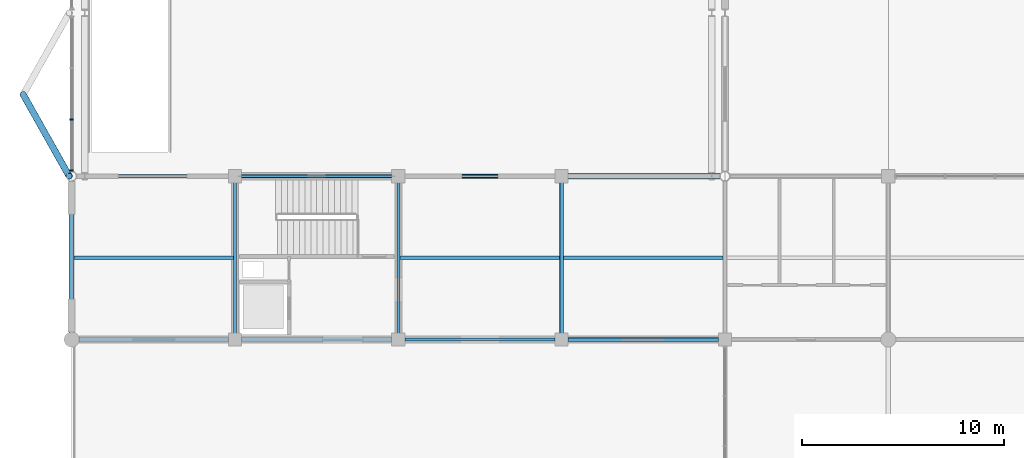
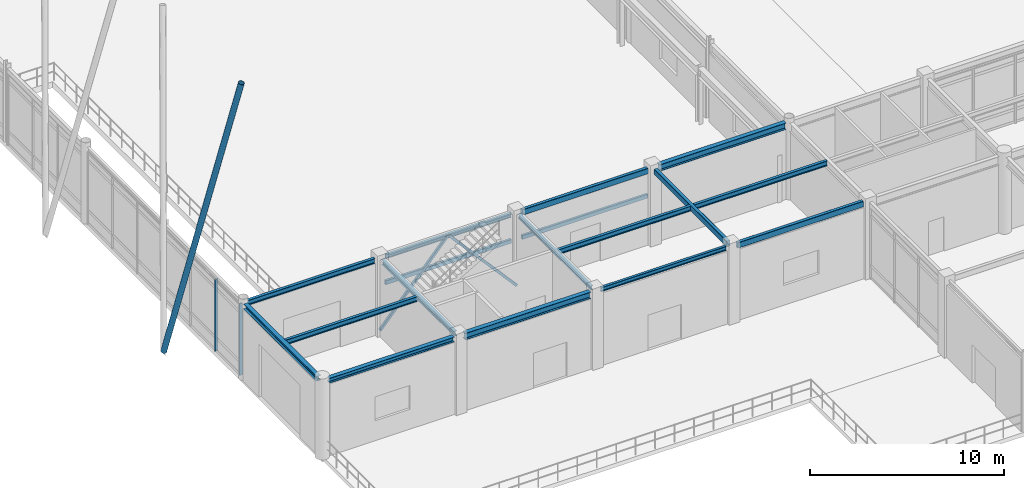
# One storey, part 23 of 99: 17 beams, 5 members, 1 element without a shape of its own.
"""IFC4 building model written with IfcOpenShell, lengths in metres."""

from ifc_helpers import new_model, si_unit, direction, frame, origin, origin_2d, place, context, subcontext, project, spatial, rectangle, hollow_rectangle, hollow_circle, i_section, extrude, material, layer, layer_set, material_profile, profile_set, type_object, element, aggregate, save


model = new_model("IFC4")

# Units and contexts
model_context = context("Model", 3, precision=1e-05, world=origin(), true_north=direction((0.0, 1.0)))
body_context = subcontext(model_context, "Body", "Model", "MODEL_VIEW")
ifc_project = project(units=[si_unit("LENGTHUNIT", "METRE"), si_unit("AREAUNIT", "SQUARE_METRE"), si_unit("VOLUMEUNIT", "CUBIC_METRE"), si_unit("PLANEANGLEUNIT", "RADIAN"), si_unit("MASSUNIT", "GRAM", prefix="KILO")], contexts=[model_context])

# Site, building, storey
site_placement = place(None, origin())
site = spatial("IfcSite", under=ifc_project, at=site_placement, CompositionType="ELEMENT")
building_placement = place(site_placement, origin())
building = spatial("IfcBuilding", under=site, at=building_placement, Name="Vaudrelin Polytechnic", CompositionType="ELEMENT")
storey_placement = place(building_placement, origin())
storey = spatial("IfcBuildingStorey", under=building, at=storey_placement, Name="L00", CompositionType="ELEMENT", Elevation=0.0)

# Beams
ifc_material_1 = material(Name="Steel CSA G40.21 350WT", Category="steel")
ifc_material_profile_1 = material_profile(ifc_material_1, i_section(OverallWidth=0.260009765625, OverallDepth=0.4150390625, WebThickness=0.010009765625, FlangeThickness=0.016845703125, FilletRadius=0.01611328125, at=origin_2d()), Name="W410x100")
ifc_profile_set_1 = profile_set([ifc_material_profile_1], Name="Steel CSA G40.21 350WT")
beam_type_1 = type_object("IfcBeamType", Name="BM-BM-W410H", PredefinedType="SPANDREL", material=ifc_profile_set_1)
beam_1_placement = place(storey_placement, frame((8.4208984375, 40.5, 4.612548828125), z_axis=(1.0, 0.0, 0.0), x_axis=(0.0, 1.0, 0.0)))
element("IfcBeam", 1, at=beam_1_placement, inside=storey, type_object=beam_type_1, Name="L00 X-beam 2-6", PredefinedType="SPANDREL", context=body_context, shape_type="SweptSolid", body=[
    extrude(i_section(OverallWidth=0.260009765625, OverallDepth=0.4150390625, WebThickness=0.010009765625, FlangeThickness=0.016845703125, FilletRadius=0.01611328125, at=origin_2d()), origin(), (0.0, 0.0, 1.0), 7.4580078125),
])
beam_2_placement = place(storey_placement, frame((24.62109375, 48.60009765625, 4.612548828125), z_axis=(1.0, 0.0, 0.0), x_axis=(0.0, 1.0, 0.0)))
element("IfcBeam", 2, at=beam_2_placement, inside=storey, type_object=beam_type_1, Name="L00 X-beam 4-7", PredefinedType="SPANDREL", context=body_context, shape_type="SweptSolid", body=[
    extrude(i_section(OverallWidth=0.260009765625, OverallDepth=0.4150390625, WebThickness=0.010009765625, FlangeThickness=0.016845703125, FilletRadius=0.01611328125, at=origin_2d()), origin(), (0.0, 0.0, 1.0), 7.52880859375),
])
ifc_material_2 = material(Name="Steel CSA G40.21 350W", Category="steel")
ifc_material_profile_2 = material_profile(ifc_material_2, i_section(OverallWidth=0.14794921875, OverallDepth=0.26611328125, WebThickness=0.007568359375, FlangeThickness=0.012939453125, FilletRadius=0.012939453125, at=origin_2d()), Name="W250x45")
ifc_profile_set_2 = profile_set([ifc_material_profile_2], Name="Steel CSA G40.21 350W")
beam_type_2 = type_object("IfcBeamType", Name="BM-JS-W250", PredefinedType="JOIST", material=ifc_profile_set_2)
beam_3_placement = place(storey_placement, frame((16.199951171875, 40.81005859375, 4.68701171875), z_axis=(0.0, 1.0, 0.0), x_axis=(-1.0, 0.0, 0.0)))
element("IfcBeam", 3, at=beam_3_placement, inside=storey, type_object=beam_type_2, Name="L00 Y-beam 3-6", PredefinedType="JOIST", context=body_context, shape_type="SweptSolid", body=[
    extrude(i_section(OverallWidth=0.14794921875, OverallDepth=0.26611328125, WebThickness=0.007568359375, FlangeThickness=0.012939453125, FilletRadius=0.012939453125, at=origin_2d()), origin(), (0.0, 0.0, 1.0), 7.47998046875),
])
for number, where, z_axis, x_axis, name in (
    (4, (8.4208984375, 48.60009765625, 4.68701171875), (1.0, 0.0, 0.0), (0.0, 1.0, 0.0), "L00 X-beam 2-7"),
    (5, (16.52099609375, 40.5, 4.68701171875), (1.0, 0.0, 0.0), (0.0, 1.0, 0.0), "L00 X-beam 3-6"),
):
    element("IfcBeam", number, at=place(storey_placement, frame(where, z_axis=z_axis, x_axis=x_axis)), inside=storey, type_object=beam_type_2, Name=name, PredefinedType="JOIST", context=body_context, shape_type="SweptSolid", body=[
        extrude(i_section(OverallWidth=0.14794921875, OverallDepth=0.26611328125, WebThickness=0.007568359375, FlangeThickness=0.012939453125, FilletRadius=0.012939453125, at=origin_2d()), origin(), (0.0, 0.0, 1.0), 7.4580078125),
    ])
ifc_material_profile_3 = material_profile(ifc_material_2, i_section(OverallWidth=0.1669921875, OverallDepth=0.31689453125, WebThickness=0.007568359375, FlangeThickness=0.01318359375, FilletRadius=0.013916015625, at=origin_2d()), Name="W310x52")
ifc_profile_set_3 = profile_set([ifc_material_profile_3], Name="Steel CSA G40.21 350W")
beam_type_3 = type_object("IfcBeamType", Name="BM-JS-W310", PredefinedType="JOIST", material=ifc_profile_set_3)
beam_4_placement = place(storey_placement, frame((8.10009765625, 40.81005859375, 4.66162109375), z_axis=(0.0, 1.0, 0.0), x_axis=(-1.0, 0.0, 0.0)))
element("IfcBeam", 6, at=beam_4_placement, inside=storey, type_object=beam_type_3, Name="L00 Y-beam 2-6", PredefinedType="JOIST", context=body_context, shape_type="SweptSolid", body=[
    extrude(i_section(OverallWidth=0.1669921875, OverallDepth=0.31689453125, WebThickness=0.007568359375, FlangeThickness=0.01318359375, FilletRadius=0.013916015625, at=origin_2d()), origin(), (0.0, 0.0, 1.0), 7.47998046875),
])
beam_5_placement = place(storey_placement, frame((0.123046875, 44.550048828125, 4.66162109375), z_axis=(1.0, 0.0, 0.0), x_axis=(0.0, 1.0, 0.0)))
element("IfcBeam", 7, at=beam_5_placement, inside=storey, type_object=beam_type_3, Name="L00 floor joist 1-6", PredefinedType="JOIST", context=body_context, shape_type="SweptSolid", body=[
    extrude(i_section(OverallWidth=0.1669921875, OverallDepth=0.31689453125, WebThickness=0.007568359375, FlangeThickness=0.01318359375, FilletRadius=0.013916015625, at=origin_2d()), origin(), (0.0, 0.0, 1.0), 7.8974609375),
])
beam_6_placement = place(storey_placement, frame((0.25, 48.60009765625, 4.66162109375), z_axis=(1.0, 0.0, 0.0), x_axis=(0.0, 1.0, 0.0)))
element("IfcBeam", 8, at=beam_6_placement, inside=storey, type_object=beam_type_3, Name="L00 X-beam 1-7", PredefinedType="JOIST", context=body_context, shape_type="SweptSolid", body=[
    extrude(i_section(OverallWidth=0.1669921875, OverallDepth=0.31689453125, WebThickness=0.007568359375, FlangeThickness=0.01318359375, FilletRadius=0.013916015625, at=origin_2d()), origin(), (0.0, 0.0, 1.0), 7.529052734375),
])
beam_7_placement = place(storey_placement, frame((16.27001953125, 44.550048828125, 4.66162109375), z_axis=(1.0, 0.0, 0.0), x_axis=(0.0, 1.0, 0.0)))
element("IfcBeam", 9, at=beam_7_placement, inside=storey, type_object=beam_type_3, Name="L00 floor joist 3-6", PredefinedType="JOIST", context=body_context, shape_type="SweptSolid", body=[
    extrude(i_section(OverallWidth=0.1669921875, OverallDepth=0.31689453125, WebThickness=0.007568359375, FlangeThickness=0.01318359375, FilletRadius=0.013916015625, at=origin_2d()), origin(), (0.0, 0.0, 1.0), 7.932373046875),
])
beam_8_placement = place(storey_placement, frame((24.3974609375, 44.550048828125, 4.66162109375), z_axis=(1.0, 0.0, 0.0), x_axis=(0.0, 1.0, 0.0)))
element("IfcBeam", 10, at=beam_8_placement, inside=storey, type_object=beam_type_3, Name="L00 floor joist 4-6", PredefinedType="JOIST", context=body_context, shape_type="SweptSolid", body=[
    extrude(i_section(OverallWidth=0.1669921875, OverallDepth=0.31689453125, WebThickness=0.007568359375, FlangeThickness=0.01318359375, FilletRadius=0.013916015625, at=origin_2d()), origin(), (0.0, 0.0, 1.0), 7.899658203125),
])
ifc_material_profile_4 = material_profile(ifc_material_1, i_section(OverallWidth=0.25390625, OverallDepth=0.305908203125, WebThickness=0.0087890625, FlangeThickness=0.0146484375, FilletRadius=0.01611328125, at=origin_2d()), Name="W310x79")
ifc_profile_set_4 = profile_set([ifc_material_profile_4], Name="Steel CSA G40.21 350WT")
beam_type_4 = type_object("IfcBeamType", Name="BM-JS-W310H", PredefinedType="SPANDREL", material=ifc_profile_set_4)
beam_9_placement = place(storey_placement, frame((0.0, 40.860107421875, 4.6669921875), z_axis=(0.0, 1.0, 0.0), x_axis=(-1.0, 0.0, 0.0)))
element("IfcBeam", 11, at=beam_9_placement, inside=storey, type_object=beam_type_4, Name="L00 Y-beam 1-6", PredefinedType="SPANDREL", context=body_context, shape_type="SweptSolid", body=[
    extrude(i_section(OverallWidth=0.25390625, OverallDepth=0.305908203125, WebThickness=0.0087890625, FlangeThickness=0.0146484375, FilletRadius=0.01611328125, at=origin_2d()), origin(), (0.0, 0.0, 1.0), 7.5009765625),
])
beam_10_placement = place(storey_placement, frame((0.37109375, 40.5, 4.6669921875), z_axis=(1.0, 0.0, 0.0), x_axis=(0.0, 1.0, 0.0)))
element("IfcBeam", 12, at=beam_10_placement, inside=storey, type_object=beam_type_4, Name="L00 X-beam 1-6", PredefinedType="SPANDREL", context=body_context, shape_type="SweptSolid", body=[
    extrude(i_section(OverallWidth=0.25390625, OverallDepth=0.305908203125, WebThickness=0.0087890625, FlangeThickness=0.0146484375, FilletRadius=0.01611328125, at=origin_2d()), origin(), (0.0, 0.0, 1.0), 7.407958984375),
])
ifc_material_profile_5 = material_profile(ifc_material_1, hollow_rectangle(XDim=0.152099609375, YDim=0.25390625, WallThickness=0.009521484375, InnerFilletRadius=0.009521484375, OuterFilletRadius=0.01904296875, at=origin_2d()), Name="HSS254x152x9.5")
ifc_profile_set_5 = profile_set([ifc_material_profile_5], Name="Steel CSA G40.21 350WT")
beam_type_5 = type_object("IfcBeamType", Name="BM-LN-HSS25", PredefinedType="LINTEL", material=ifc_profile_set_5)
for number, where, z_axis, x_axis, name in (
    (13, (8.4208984375, 48.60009765625, 3.050048828125), (1.0, 0.0, 0.0), (0.0, 1.0, 0.0), "Portal opening lintel LN-01"),
    (14, (16.52099609375, 48.60009765625, 3.050048828125), (1.0, 0.0, 0.0), (0.0, 1.0, 0.0), "Portal opening lintel LN-02"),
):
    element("IfcBeam", number, at=place(storey_placement, frame(where, z_axis=z_axis, x_axis=x_axis)), inside=storey, type_object=beam_type_5, Name=name, PredefinedType="LINTEL", context=body_context, shape_type="SweptSolid", body=[
        extrude(hollow_rectangle(XDim=0.152099609375, YDim=0.25390625, WallThickness=0.009521484375, InnerFilletRadius=0.009521484375, OuterFilletRadius=0.01904296875, at=origin_2d()), origin(), (0.0, 0.0, 1.0), 7.4580078125),
    ])
ifc_material_profile_6 = material_profile(ifc_material_1, hollow_rectangle(XDim=0.202880859375, YDim=0.35595703125, WallThickness=0.0126953125, InnerFilletRadius=0.0126953125, OuterFilletRadius=0.025390625, at=origin_2d()), Name="HSS356x203x12.7")
ifc_profile_set_6 = profile_set([ifc_material_profile_6], Name="Steel CSA G40.21 350WT")
beam_type_6 = type_object("IfcBeamType", Name="BM-SP-HSS35", PredefinedType="SPANDREL", material=ifc_profile_set_6)
beam_11_placement = place(storey_placement, frame((24.300048828125, 40.81005859375, 4.64208984375), z_axis=(0.0, 1.0, 0.0), x_axis=(-1.0, 0.0, 0.0)))
element("IfcBeam", 15, at=beam_11_placement, inside=storey, type_object=beam_type_6, Name="L00 Y-beam 4-6", PredefinedType="SPANDREL", context=body_context, shape_type="SweptSolid", body=[
    extrude(hollow_rectangle(XDim=0.202880859375, YDim=0.35595703125, WallThickness=0.0126953125, InnerFilletRadius=0.0126953125, OuterFilletRadius=0.025390625, at=origin_2d()), origin(), (0.0, 0.0, 1.0), 7.47998046875),
])
for number, where, z_axis, x_axis, name in (
    (16, (16.52099609375, 48.60009765625, 4.64208984375), (1.0, 0.0, 0.0), (0.0, 1.0, 0.0), "L00 X-beam 3-7"),
    (17, (24.62109375, 40.5, 4.64208984375), (1.0, 0.0, 0.0), (0.0, 1.0, 0.0), "L00 X-beam 4-6"),
):
    element("IfcBeam", number, at=place(storey_placement, frame(where, z_axis=z_axis, x_axis=x_axis)), inside=storey, type_object=beam_type_6, Name=name, PredefinedType="SPANDREL", context=body_context, shape_type="SweptSolid", body=[
        extrude(hollow_rectangle(XDim=0.202880859375, YDim=0.35595703125, WallThickness=0.0126953125, InnerFilletRadius=0.0126953125, OuterFilletRadius=0.025390625, at=origin_2d()), origin(), (0.0, 0.0, 1.0), 7.4580078125),
    ])

# Members
ifc_material_profile_7 = material_profile(ifc_material_2, hollow_rectangle(XDim=0.152099609375, YDim=0.152099609375, WallThickness=0.008056640625, InnerFilletRadius=0.008056640625, OuterFilletRadius=0.01611328125, at=origin_2d()), Name="HSS152x152x8.0")
ifc_profile_set_7 = profile_set([ifc_material_profile_7], Name="Steel CSA G40.21 350W")
member_type_1 = type_object("IfcMemberType", Name="MEM-BF-D01", PredefinedType="BRACE", material=ifc_profile_set_7)
member_1_placement = place(storey_placement, frame((8.10009765625, 48.60009765625, 0.14990234375), z_axis=(0.662091465916, 0.0, 0.749423038584), x_axis=(0.0, 1.0, 0.0)))
element("IfcMember", 18, at=member_1_placement, inside=storey, type_object=member_type_1, Name="Chevron brace BF-01A", PredefinedType="BRACE", context=body_context, shape_type="SweptSolid", body=[
    extrude(hollow_rectangle(XDim=0.152099609375, YDim=0.152099609375, WallThickness=0.008056640625, InnerFilletRadius=0.008056640625, OuterFilletRadius=0.01611328125, at=origin_2d()), origin(), (0.0, 0.0, 1.0), 6.11669921875),
])
member_2_placement = place(storey_placement, frame((16.199951171875, 48.60009765625, 0.14990234375), z_axis=(-0.662113882056, 0.0, 0.74940323404), x_axis=(0.0, -1.0, 0.0)))
element("IfcMember", 19, at=member_2_placement, inside=storey, type_object=member_type_1, Name="Chevron brace BF-01B", PredefinedType="BRACE", context=body_context, shape_type="SweptSolid", body=[
    extrude(hollow_rectangle(XDim=0.152099609375, YDim=0.152099609375, WallThickness=0.008056640625, InnerFilletRadius=0.008056640625, OuterFilletRadius=0.01611328125, at=origin_2d()), origin(), (0.0, 0.0, 1.0), 6.116943359375),
])

# Curtain wall, members
ifc_material_3 = material(Name="Thermally broken anodised aluminium AA 6063-T6 and low-e triple glazing", Category="aluminium")
ifc_layer = layer(ifc_material_3, 0.199951171875)
ifc_layer_set = layer_set([ifc_layer], Name="Thermally broken anodised aluminium AA 6063-T6 and low-e triple glazing")
curtain_wall_type = type_object("IfcCurtainWallType", Name="CW-CW-POR", PredefinedType="USERDEFINED", material=ifc_layer_set)
curtain_wall_placement = place(storey_placement, origin())
curtain_wall = element("IfcCurtainWall", 20, at=curtain_wall_placement, inside=storey, type_object=curtain_wall_type, Name="Curtain wall L00 W_V1_01", ObjectType="CURTAIN WALL", PredefinedType="USERDEFINED")
ifc_material_4 = material(Name="Anodised aluminium AA 6063-T6", Category="aluminium")
ifc_material_profile_8 = material_profile(ifc_material_4, rectangle(XDim=0.06494140625, YDim=0.179931640625, at=origin_2d()), Name="CWM-65x180")
ifc_profile_set_8 = profile_set([ifc_material_profile_8], Name="Anodised aluminium AA 6063-T6")
member_type_2 = type_object("IfcMemberType", Name="MEM-CWM-180", PredefinedType="MULLION", material=ifc_profile_set_8)
member_3_placement = place(storey_placement, frame((0.0, 48.89208984375, 0.0), z_axis=(0.0, 0.0, 1.0), x_axis=(0.0, 1.0, 0.0)))
member_3 = element("IfcMember", 21, at=member_3_placement, type_object=member_type_2, Name="W_V1_01 mullion 1", PredefinedType="MULLION", context=body_context, shape_type="SweptSolid", body=[
    extrude(rectangle(XDim=0.06494140625, YDim=0.179931640625, at=origin_2d()), origin(), (0.0, 0.0, 1.0), 4.5048828125),
])
member_4_placement = place(storey_placement, frame((0.0, 51.409912109375, 0.0), z_axis=(0.0, 0.0, 1.0), x_axis=(0.0, 1.0, 0.0)))
member_4 = element("IfcMember", 22, at=member_4_placement, type_object=member_type_2, Name="W_V1_01 mullion 2", PredefinedType="MULLION", context=body_context, shape_type="SweptSolid", body=[
    extrude(rectangle(XDim=0.06494140625, YDim=0.179931640625, at=origin_2d()), origin(), (0.0, 0.0, 1.0), 4.5048828125),
])
aggregate(curtain_wall, [member_3, member_4])

# Member
ifc_material_profile_9 = material_profile(ifc_material_1, hollow_circle(Radius=0.161865234375, WallThickness=0.0126953125, at=origin_2d()), Name="CHS323.9x12.7")
ifc_profile_set_9 = profile_set([ifc_material_profile_9], Name="Steel CSA G40.21 350WT")
member_type_3 = type_object("IfcMemberType", Name="MEM-TR-BR2", PredefinedType="BRACE", material=ifc_profile_set_9)
member_5_placement = place(storey_placement, frame((-2.39990234375, 52.64990234375, 0.050048828125), z_axis=(0.119424714044, -0.212145765321, 0.969913352796), x_axis=(0.871412746793, 0.490550532286, 0.0)))
element("IfcMember", 23, at=member_5_placement, inside=storey, type_object=member_type_3, Name="Workshop street inclined V-strut 6-S", PredefinedType="BRACE", context=body_context, shape_type="SweptSolid", body=[
    extrude(hollow_circle(Radius=0.161865234375, WallThickness=0.0126953125, at=origin_2d()), origin(), (0.0, 0.0, 1.0), 19.08984375),
])

save(model, "model.ifc")
